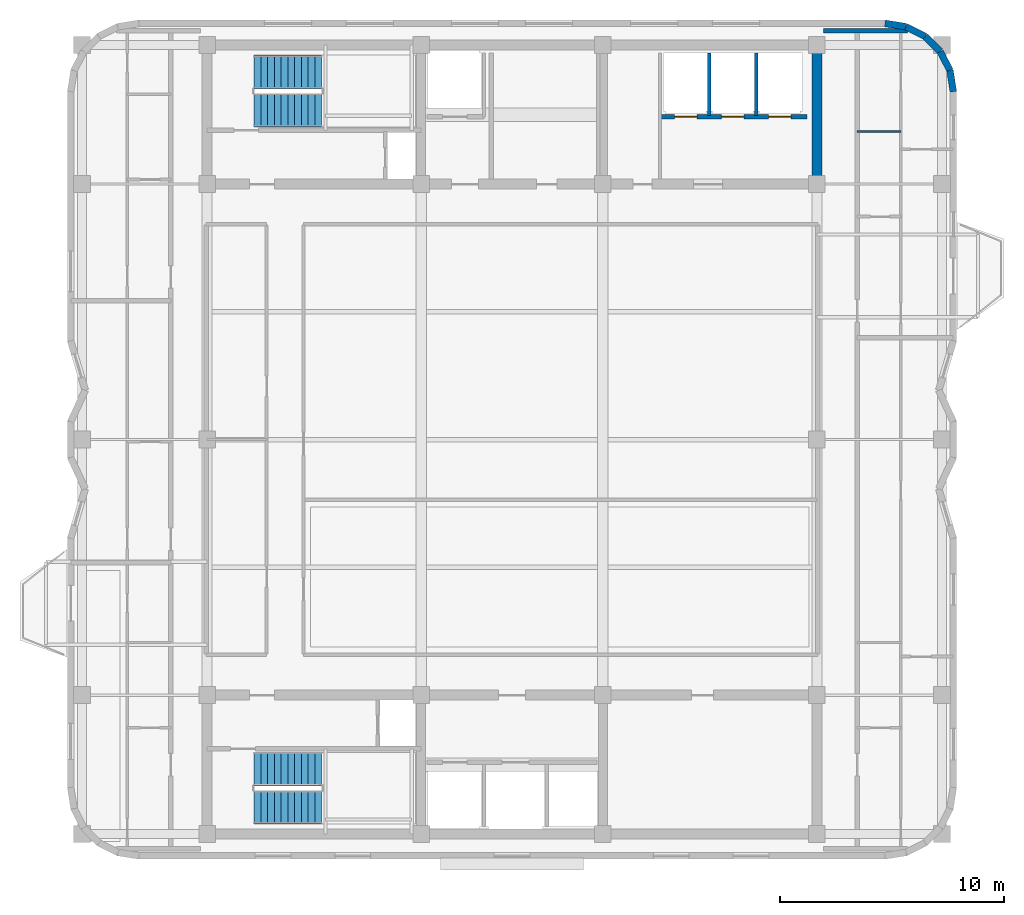
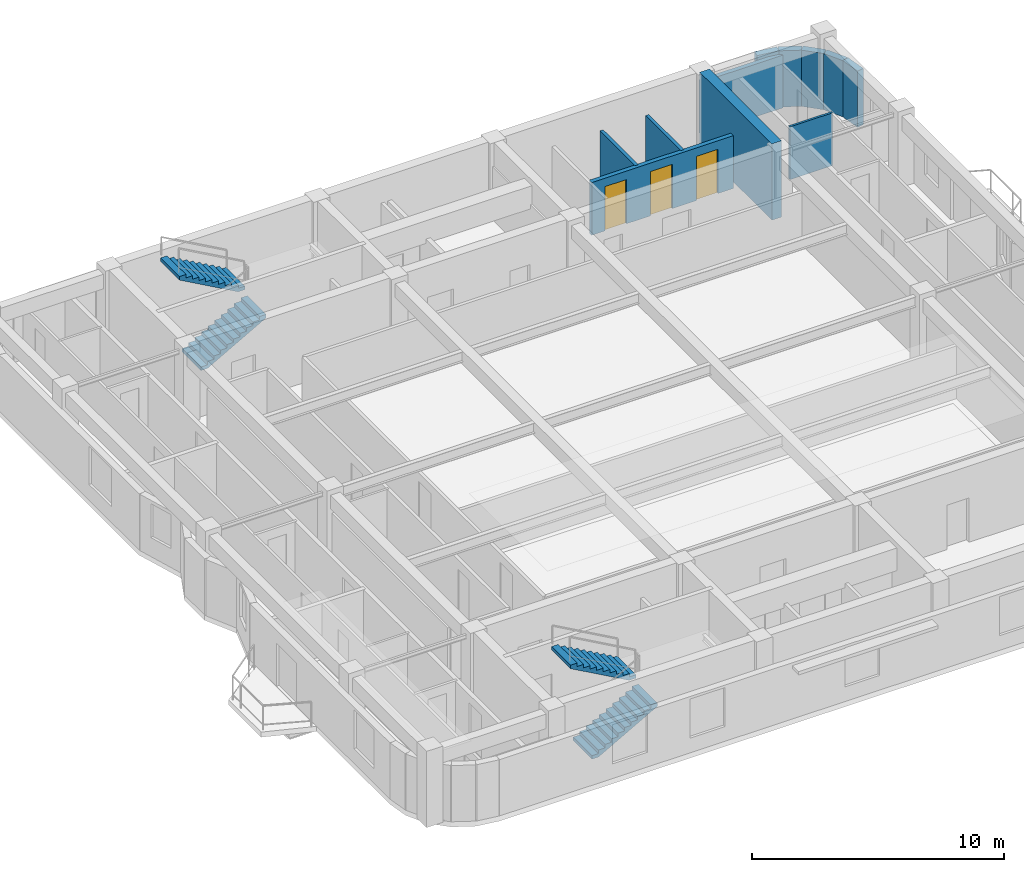
# One storey, part 6 of 8: 11 walls, 4 stair flights, 3 doors, 3 openings, 2 elements without a shape of their own.
"""IFC4 building model written with IfcOpenShell, lengths in metres."""

from ifc_helpers import new_model, si_unit, direction, frame, frame_2d, origin, place, context, subcontext, project, spatial, polyline, rectangle, outline, extrude, material, layer, layer_set, type_object, element, fill, aggregate, save


model = new_model("IFC4")

# Units and contexts
model_context = context("Model", 3, precision=1e-05, world=origin(), true_north=direction((0.0, 1.0)))
body_context = subcontext(model_context, "Body", "Model", "MODEL_VIEW")
ifc_project = project(units=[si_unit("LENGTHUNIT", "METRE"), si_unit("AREAUNIT", "SQUARE_METRE"), si_unit("VOLUMEUNIT", "CUBIC_METRE"), si_unit("PLANEANGLEUNIT", "RADIAN"), si_unit("MASSUNIT", "GRAM", prefix="KILO")], contexts=[model_context])

# Site, building, storey
site_placement = place(None, origin())
site = spatial("IfcSite", under=ifc_project, at=site_placement, CompositionType="ELEMENT")
building_placement = place(site_placement, origin())
building = spatial("IfcBuilding", under=site, at=building_placement, Name="Svetorya Sky Lyceum", CompositionType="ELEMENT")
storey_placement = place(building_placement, frame((0.0, 0.0, 282.39990234375)))
storey = spatial("IfcBuildingStorey", under=building, at=storey_placement, Name="L71", CompositionType="ELEMENT", Elevation=282.39990234375)

# Walls
ifc_material_1 = material(Name="Concrete C50/60", Category="concrete")
ifc_layer_1 = layer(ifc_material_1, 0.449951171875)
ifc_layer_set_1 = layer_set([ifc_layer_1], Name="Concrete C50/60")
wall_type_1 = type_object("IfcWallType", Name="WL-CORE-450", PredefinedType="SHEAR", material=ifc_layer_set_1)
wall_1_placement = place(storey_placement, frame((52.800048828125, 39.824951171875, 0.0), z_axis=(0.0, 0.0, 1.0), x_axis=(0.0, 1.0, 0.0)))
element("IfcWall", 1, at=wall_1_placement, inside=storey, type_object=wall_type_1, Name="L71 NC East Core Shear Wall", PredefinedType="SHEAR", context=body_context, shape_type="SweptSolid", body=[
    extrude(rectangle(XDim=5.75, YDim=0.449951171875, at=frame_2d((2.875, 0.0))), origin(), (0.0, 0.0, 1.0), 3.7001953125),
])
ifc_material_2 = material(Name="Putilovo limestone rainscreen on autoclaved cellular masonry", Category="masonry")
ifc_layer_2 = layer(ifc_material_2, 0.300048828125)
ifc_layer_set_2 = layer_set([ifc_layer_2], Name="Putilovo limestone rainscreen on autoclaved cellular masonry")
wall_type_2 = type_object("IfcWallType", Name="WL-EXT-300", PredefinedType="SOLIDWALL", material=ifc_layer_set_2)
wall_2_placement = place(storey_placement, frame((58.889892578125, 43.719970703125, 0.0), z_axis=(0.0, 0.0, 1.0), x_axis=(-0.156304114255, 0.987708977314, 0.0)))
element("IfcWall", 2, at=wall_2_placement, inside=storey, type_object=wall_type_2, Name="L71 Limestone Exterior Wall 19M", PredefinedType="SOLIDWALL", context=body_context, shape_type="SweptSolid", body=[
    extrude(rectangle(XDim=0.954345703125, YDim=0.300048828125, at=frame_2d((0.47705078125, 0.0))), origin(), (0.0, 0.0, 1.0), 2.72998046875),
])
wall_3_placement = place(storey_placement, frame((58.74072265625, 44.66259765625, 0.0), z_axis=(0.0, 0.0, 1.0), x_axis=(-0.45395644796, 0.891023873617, 0.0)))
element("IfcWall", 3, at=wall_3_placement, inside=storey, type_object=wall_type_2, Name="L71 Limestone Exterior Wall 20M", PredefinedType="SOLIDWALL", context=body_context, shape_type="SweptSolid", body=[
    extrude(rectangle(XDim=0.9541015625, YDim=0.300048828125, at=frame_2d((0.47705078125, 0.0))), origin(), (0.0, 0.0, 1.0), 2.72998046875),
])
for number, where, z_axis, x_axis, name in (
    (4, (58.3076171875, 45.5126953125, 0.0), (0.0, 0.0, 1.0), (-0.707106781187, 0.707106781187, 0.0), "L71 Limestone Exterior Wall 21M"),
    (5, (57.6328125, 46.1875, 0.0), (0.0, 0.0, 1.0), (-0.891076589373, 0.453852962833, 0.0), "L71 Limestone Exterior Wall 22M"),
):
    element("IfcWall", number, at=place(storey_placement, frame(where, z_axis=z_axis, x_axis=x_axis)), inside=storey, type_object=wall_type_2, Name=name, PredefinedType="SOLIDWALL", context=body_context, shape_type="SweptSolid", body=[
        extrude(rectangle(XDim=0.954345703125, YDim=0.300048828125, at=frame_2d((0.47705078125, 0.0))), origin(), (0.0, 0.0, 1.0), 2.72998046875),
    ])
wall_4_placement = place(storey_placement, frame((56.782470703125, 46.62060546875, 0.0), z_axis=(0.0, 0.0, 1.0), x_axis=(-0.987663181641, 0.156593229835, 0.0)))
element("IfcWall", 6, at=wall_4_placement, inside=storey, type_object=wall_type_2, Name="L71 Limestone Exterior Wall 23M", PredefinedType="SOLIDWALL", context=body_context, shape_type="SweptSolid", body=[
    extrude(rectangle(XDim=0.9541015625, YDim=0.300048828125, at=frame_2d((0.47705078125, 0.0))), origin(), (0.0, 0.0, 1.0), 2.72998046875),
])
ifc_material_3 = material(Name="Galvanized stud partition with moisture-resistant board", Category="gypsum")
ifc_layer_3 = layer(ifc_material_3, 0.10009765625)
ifc_layer_set_3 = layer_set([ifc_layer_3], Name="Galvanized stud partition with moisture-resistant board")
wall_type_3 = type_object("IfcWallType", Name="WL-PART-100", PredefinedType="PARTITIONING", material=ifc_layer_set_3)
wall_5_placement = place(storey_placement, frame((54.60009765625, 41.949951171875, 0.0), z_axis=(0.0, 0.0, 1.0), x_axis=(1.0, 0.0, 0.0)))
element("IfcWall", 7, at=wall_5_placement, inside=storey, type_object=wall_type_3, Name="L71 Interior Partition E2-WH2", PredefinedType="PARTITIONING", context=body_context, shape_type="SweptSolid", body=[
    extrude(rectangle(XDim=1.949951171875, YDim=0.10009765625, at=frame_2d((0.97509765625, 0.0))), origin(), (0.0, 0.0, 1.0), 2.56005859375),
])
ifc_material_4 = material(Name="Autoclaved cellular masonry blockwork with acoustic render", Category="masonry")
ifc_layer_4 = layer(ifc_material_4, 0.14990234375)
ifc_layer_set_4 = layer_set([ifc_layer_4], Name="Autoclaved cellular masonry blockwork with acoustic render")
wall_type_4 = type_object("IfcWallType", Name="WL-PART-150", PredefinedType="PARTITIONING", material=ifc_layer_set_4)
for number, where, z_axis, x_axis, name in (
    (8, (48.0, 42.64990234375, 0.0), (0.0, 0.0, 1.0), (0.0, 1.0, 0.0), "L71 Interior Partition NC-PH-D1"),
    (9, (50.10009765625, 42.64990234375, 0.0), (0.0, 0.0, 1.0), (0.0, 1.0, 0.0), "L71 Interior Partition NC-PH-D2"),
):
    element("IfcWall", number, at=place(storey_placement, frame(where, z_axis=z_axis, x_axis=x_axis)), inside=storey, type_object=wall_type_4, Name=name, PredefinedType="PARTITIONING", context=body_context, shape_type="SweptSolid", body=[
        extrude(rectangle(XDim=2.800048828125, YDim=0.14990234375, at=frame_2d((1.39990234375, 0.0))), origin(), (0.0, 0.0, 1.0), 2.56005859375),
    ])

# Wall, openings, doors
ifc_material_5 = material(Name="Autoclaved cellular masonry blockwork with gypsum plaster", Category="masonry")
ifc_layer_5 = layer(ifc_material_5, 0.199951171875)
ifc_layer_set_5 = layer_set([ifc_layer_5], Name="Autoclaved cellular masonry blockwork with gypsum plaster")
wall_type_5 = type_object("IfcWallType", Name="WL-PART-200", PredefinedType="PARTITIONING", material=ifc_layer_set_5)
wall_6_placement = place(storey_placement, frame((52.35009765625, 42.60009765625, 0.0), z_axis=(0.0, 0.0, 1.0), x_axis=(-1.0, 0.0, 0.0)))
wall_6 = element("IfcWall", 10, at=wall_6_placement, inside=storey, type_object=wall_type_5, Name="L71 Interior Partition NC-PHEW", PredefinedType="PARTITIONING", context=body_context, shape_type="SweptSolid", body=[
    extrude(rectangle(XDim=6.5, YDim=0.199951171875, at=frame_2d((3.25, 0.0))), origin(), (0.0, 0.0, 1.0), 2.56005859375),
])
opening_1_placement = place(wall_6_placement, frame((4.89990234375, 0.0, 0.0)))
opening_1 = element("IfcOpeningElement", 11, at=opening_1_placement, cuts=wall_6, Name="Opening LD-P1", PredefinedType="OPENING", context=body_context, shape_type="SweptSolid", body=[
    extrude(rectangle(XDim=1.0, YDim=2.14990234375, at=frame_2d((0.5, 1.074951171875))), frame((0.0, 0.10986328125, 0.0), z_axis=(0.0, -1.0, 0.0), x_axis=(1.0, 0.0, 0.0)), (0.0, 0.0, 1.0), 0.219970703125),
])
opening_2_placement = place(wall_6_placement, frame((2.800048828125, 0.0, 0.0)))
opening_2 = element("IfcOpeningElement", 12, at=opening_2_placement, cuts=wall_6, Name="Opening LD-P1", PredefinedType="OPENING", context=body_context, shape_type="SweptSolid", body=[
    extrude(rectangle(XDim=1.0, YDim=2.14990234375, at=frame_2d((0.5, 1.074951171875))), frame((0.0, 0.10986328125, 0.0), z_axis=(0.0, -1.0, 0.0), x_axis=(1.0, 0.0, 0.0)), (0.0, 0.0, 1.0), 0.219970703125),
])
opening_3_placement = place(wall_6_placement, frame((0.699951171875, 0.0, 0.0)))
opening_3 = element("IfcOpeningElement", 13, at=opening_3_placement, cuts=wall_6, Name="Opening LD-P1", PredefinedType="OPENING", context=body_context, shape_type="SweptSolid", body=[
    extrude(rectangle(XDim=1.0, YDim=2.14990234375, at=frame_2d((0.5, 1.074951171875))), frame((0.0, 0.10986328125, 0.0), z_axis=(0.0, -1.0, 0.0), x_axis=(1.0, 0.0, 0.0)), (0.0, 0.0, 1.0), 0.219970703125),
])
ifc_material_6 = material(Name="Champagne-anodized stainless passenger lift landing door")
door_type = type_object("IfcDoorType", Name="DR-LIFT-1000", OperationType="SLIDING_TO_LEFT", PredefinedType="DOOR", material=ifc_material_6)
door_1_placement = place(opening_1_placement, origin())
door_1 = element("IfcDoor", 14, at=door_1_placement, inside=storey, type_object=door_type, Name="L71 Passenger Lift PH1 Landing Door", OperationType="SLIDING_TO_LEFT", OverallHeight=2.14990234375, OverallWidth=1.0, PredefinedType="DOOR", context=body_context, shape_type="SweptSolid", body=[
    extrude(rectangle(XDim=1.0, YDim=2.14990234375, at=frame_2d((0.5, 1.074951171875))), frame((0.0, 0.02490234375, 0.0), z_axis=(0.0, -1.0, 0.0), x_axis=(1.0, 0.0, 0.0)), (0.0, 0.0, 1.0), 0.050048828125),
])
fill(opening_1, door_1)
door_2_placement = place(opening_2_placement, origin())
door_2 = element("IfcDoor", 15, at=door_2_placement, inside=storey, type_object=door_type, Name="L71 Passenger Lift PH2 Landing Door", OperationType="SLIDING_TO_LEFT", OverallHeight=2.14990234375, OverallWidth=1.0, PredefinedType="DOOR", context=body_context, shape_type="SweptSolid", body=[
    extrude(rectangle(XDim=1.0, YDim=2.14990234375, at=frame_2d((0.5, 1.074951171875))), frame((0.0, 0.02490234375, 0.0), z_axis=(0.0, -1.0, 0.0), x_axis=(1.0, 0.0, 0.0)), (0.0, 0.0, 1.0), 0.050048828125),
])
fill(opening_2, door_2)
door_3_placement = place(opening_3_placement, origin())
door_3 = element("IfcDoor", 16, at=door_3_placement, inside=storey, type_object=door_type, Name="L71 Passenger Lift PH3 Landing Door", OperationType="SLIDING_TO_LEFT", OverallHeight=2.14990234375, OverallWidth=1.0, PredefinedType="DOOR", context=body_context, shape_type="SweptSolid", body=[
    extrude(rectangle(XDim=1.0, YDim=2.14990234375, at=frame_2d((0.5, 1.074951171875))), frame((0.0, 0.02490234375, 0.0), z_axis=(0.0, -1.0, 0.0), x_axis=(1.0, 0.0, 0.0)), (0.0, 0.0, 1.0), 0.050048828125),
])
fill(opening_3, door_3)

# Wall
wall_7_placement = place(storey_placement, frame((53.10009765625, 46.449951171875, 0.0), z_axis=(0.0, 0.0, 1.0), x_axis=(1.0, 0.0, 0.0)))
element("IfcWall", 17, at=wall_7_placement, inside=storey, type_object=wall_type_5, Name="L71 Interior Partition E-CAP-N", PredefinedType="PARTITIONING", context=body_context, shape_type="SweptSolid", body=[
    extrude(rectangle(XDim=3.75390625, YDim=0.199951171875, at=frame_2d((1.876953125, 0.0))), origin(), (0.0, 0.0, 1.0), 2.56005859375),
])

# Stair, stair flights
ifc_material_7 = material(Name="Concrete C40/50", Category="concrete")
stair_type_1 = type_object("IfcStairType", Name="STR-ST-N", PredefinedType="HALF_TURN_STAIR", material=ifc_material_7)
stair_1_placement = place(storey_placement, origin())
stair_1 = element("IfcStair", 18, at=stair_1_placement, inside=storey, type_object=stair_type_1, Name="L71 North Core Smoke-Free Exit Stair N3", PredefinedType="HALF_TURN_STAIR")
stair_flight_type_1 = type_object("IfcStairFlightType", Name="SFL-ST-N", PredefinedType="STRAIGHT", material=ifc_material_7)
stair_flight_1_placement = place(storey_placement, frame((27.699951171875, 42.89990234375, 0.0), z_axis=(0.0, 0.0, 1.0), x_axis=(1.0, 0.0, 0.0)))
stair_flight_1 = element("IfcStairFlight", 19, at=stair_flight_1_placement, type_object=stair_flight_type_1, Name="ST-N flight 1", NumberOfRisers=11, NumberOfTreads=10, PredefinedType="STRAIGHT", RiserHeight=0.168181818, TreadLength=0.3, context=body_context, shape_type="SweptSolid", body=[
    extrude(outline(polyline([(0.0, 0.0), (0.0, 0.168212890625), (0.300048828125, 0.168212890625), (0.300048828125, 0.33642578125), (0.60009765625, 0.33642578125), (0.60009765625, 0.504638671875), (0.89990234375, 0.504638671875), (0.89990234375, 0.672607421875), (1.199951171875, 0.672607421875), (1.199951171875, 0.8408203125), (1.5, 0.8408203125), (1.5, 1.009033203125), (1.800048828125, 1.009033203125), (1.800048828125, 1.17724609375), (2.10009765625, 1.17724609375), (2.10009765625, 1.345458984375), (2.39990234375, 1.345458984375), (2.39990234375, 1.513671875), (2.699951171875, 1.513671875), (2.699951171875, 1.681884765625), (3.0, 1.681884765625), (3.0, 1.85009765625), (3.0, 1.510009765625), (0.306640625, 0.0), (0.0, 0.0)])), frame((0.0, 0.75, 0.0), z_axis=(0.0, -1.0, 0.0), x_axis=(1.0, 0.0, 0.0)), (0.0, 0.0, 1.0), 1.5),
])
stair_flight_2_placement = place(storey_placement, frame((30.699951171875, 44.60009765625, 1.85009765625), z_axis=(0.0, 0.0, 1.0), x_axis=(-1.0, 0.0, 0.0)))
stair_flight_2 = element("IfcStairFlight", 20, at=stair_flight_2_placement, type_object=stair_flight_type_1, Name="ST-N flight 2", NumberOfRisers=11, NumberOfTreads=10, PredefinedType="STRAIGHT", RiserHeight=0.168181818, TreadLength=0.3, context=body_context, shape_type="SweptSolid", body=[
    extrude(outline(polyline([(0.0, 0.0), (0.0, 0.168212890625), (0.300048828125, 0.168212890625), (0.300048828125, 0.33642578125), (0.60009765625, 0.33642578125), (0.60009765625, 0.504638671875), (0.89990234375, 0.504638671875), (0.89990234375, 0.672607421875), (1.199951171875, 0.672607421875), (1.199951171875, 0.8408203125), (1.5, 0.8408203125), (1.5, 1.009033203125), (1.800048828125, 1.009033203125), (1.800048828125, 1.17724609375), (2.10009765625, 1.17724609375), (2.10009765625, 1.345458984375), (2.39990234375, 1.345458984375), (2.39990234375, 1.513671875), (2.699951171875, 1.513671875), (2.699951171875, 1.681884765625), (3.0, 1.681884765625), (3.0, 1.85009765625), (3.0, 1.510009765625), (0.306640625, 0.0), (0.0, 0.0)])), frame((0.0, 0.75, 0.0), z_axis=(0.0, -1.0, 0.0), x_axis=(1.0, 0.0, 0.0)), (0.0, 0.0, 1.0), 1.5),
])
aggregate(stair_1, [stair_flight_1, stair_flight_2])

stair_type_2 = type_object("IfcStairType", Name="STR-ST-S", PredefinedType="HALF_TURN_STAIR", material=ifc_material_7)
stair_2_placement = place(storey_placement, origin())
stair_2 = element("IfcStair", 21, at=stair_2_placement, inside=storey, type_object=stair_type_2, Name="L71 South Core Smoke-Free Exit Stair N2", PredefinedType="HALF_TURN_STAIR")
stair_flight_type_2 = type_object("IfcStairFlightType", Name="SFL-ST-S", PredefinedType="STRAIGHT", material=ifc_material_7)
stair_flight_3_placement = place(storey_placement, frame((27.699951171875, 11.800048828125, 0.0), z_axis=(0.0, 0.0, 1.0), x_axis=(1.0, 0.0, 0.0)))
stair_flight_3 = element("IfcStairFlight", 22, at=stair_flight_3_placement, type_object=stair_flight_type_2, Name="ST-S flight 1", NumberOfRisers=11, NumberOfTreads=10, PredefinedType="STRAIGHT", RiserHeight=0.168181818, TreadLength=0.3, context=body_context, shape_type="SweptSolid", body=[
    extrude(outline(polyline([(0.0, 0.0), (0.0, 0.168212890625), (0.300048828125, 0.168212890625), (0.300048828125, 0.33642578125), (0.60009765625, 0.33642578125), (0.60009765625, 0.504638671875), (0.89990234375, 0.504638671875), (0.89990234375, 0.672607421875), (1.199951171875, 0.672607421875), (1.199951171875, 0.8408203125), (1.5, 0.8408203125), (1.5, 1.009033203125), (1.800048828125, 1.009033203125), (1.800048828125, 1.17724609375), (2.10009765625, 1.17724609375), (2.10009765625, 1.345458984375), (2.39990234375, 1.345458984375), (2.39990234375, 1.513671875), (2.699951171875, 1.513671875), (2.699951171875, 1.681884765625), (3.0, 1.681884765625), (3.0, 1.85009765625), (3.0, 1.510009765625), (0.306640625, 0.0), (0.0, 0.0)])), frame((0.0, 0.75, 0.0), z_axis=(0.0, -1.0, 0.0), x_axis=(1.0, 0.0, 0.0)), (0.0, 0.0, 1.0), 1.5),
])
stair_flight_4_placement = place(storey_placement, frame((30.699951171875, 13.5, 1.85009765625), z_axis=(0.0, 0.0, 1.0), x_axis=(-1.0, 0.0, 0.0)))
stair_flight_4 = element("IfcStairFlight", 23, at=stair_flight_4_placement, type_object=stair_flight_type_2, Name="ST-S flight 2", NumberOfRisers=11, NumberOfTreads=10, PredefinedType="STRAIGHT", RiserHeight=0.168181818, TreadLength=0.3, context=body_context, shape_type="SweptSolid", body=[
    extrude(outline(polyline([(0.0, 0.0), (0.0, 0.168212890625), (0.300048828125, 0.168212890625), (0.300048828125, 0.33642578125), (0.60009765625, 0.33642578125), (0.60009765625, 0.504638671875), (0.89990234375, 0.504638671875), (0.89990234375, 0.672607421875), (1.199951171875, 0.672607421875), (1.199951171875, 0.8408203125), (1.5, 0.8408203125), (1.5, 1.009033203125), (1.800048828125, 1.009033203125), (1.800048828125, 1.17724609375), (2.10009765625, 1.17724609375), (2.10009765625, 1.345458984375), (2.39990234375, 1.345458984375), (2.39990234375, 1.513671875), (2.699951171875, 1.513671875), (2.699951171875, 1.681884765625), (3.0, 1.681884765625), (3.0, 1.85009765625), (3.0, 1.510009765625), (0.306640625, 0.0), (0.0, 0.0)])), frame((0.0, 0.75, 0.0), z_axis=(0.0, -1.0, 0.0), x_axis=(1.0, 0.0, 0.0)), (0.0, 0.0, 1.0), 1.5),
])
aggregate(stair_2, [stair_flight_3, stair_flight_4])

save(model, "model.ifc")
